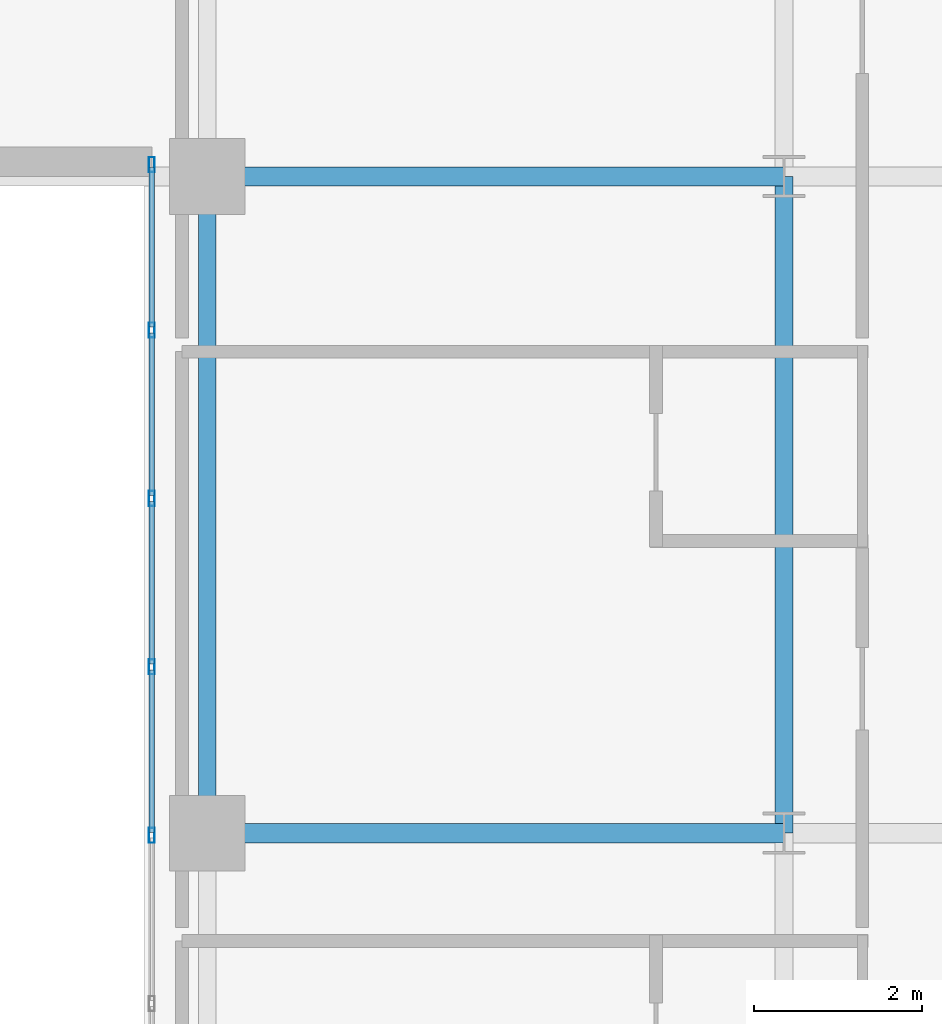
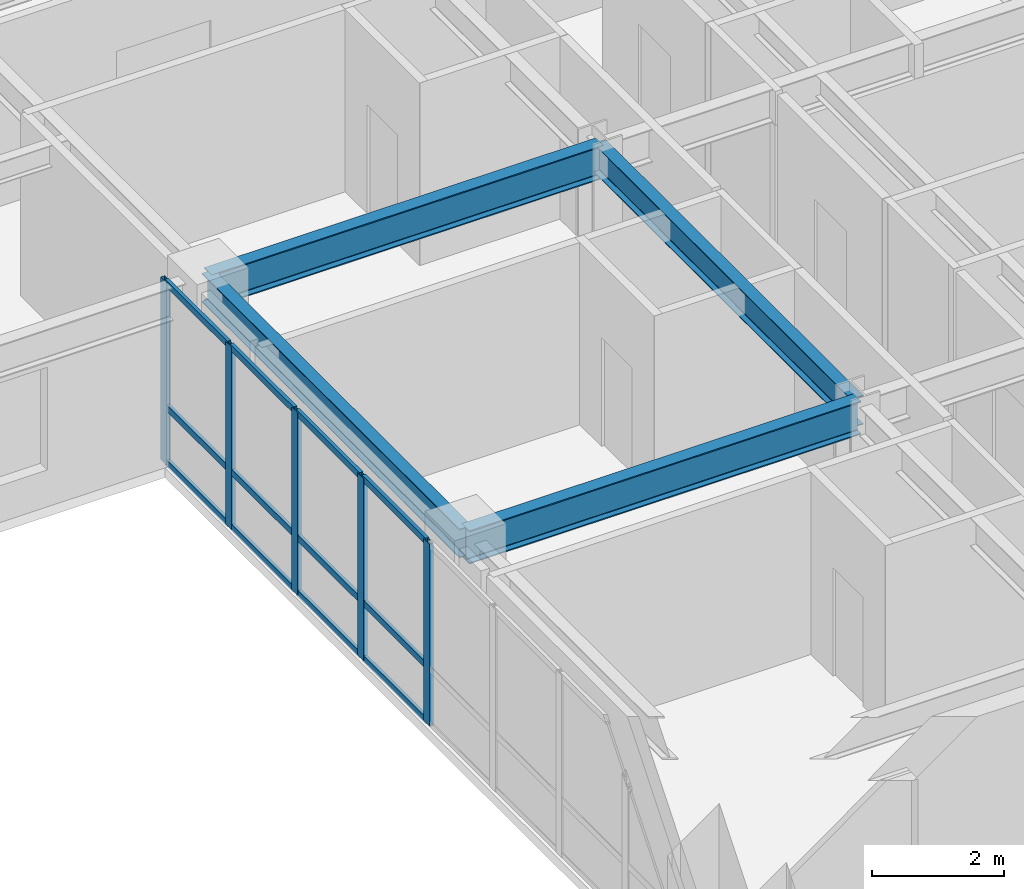
# One storey, part 7 of 17: 17 members, 4 beams, 1 element without a shape of its own.
"""IFC4 building model written with IfcOpenShell, lengths in metres."""

import ifcopenshell
import ifcopenshell.guid

model = None  # the IFC model being written
_history = None  # IfcOwnerHistory: only IFC2X3 demands one
_inside = {}  # id of a spatial element -> (the spatial element, [elements in it])
_under = {}  # id of a project, library or spatial element -> (it, [spatial elements below it])
_declared = {}  # id of a project -> (the project, [libraries it declares])
_typed = {}  # id of a type object -> (the type object, [elements of that type])
_made_of = {}  # id of a material, layer set ... -> (it, [elements and type objects made of it])


def new_model(schema):
    """Start an empty IFC model of exactly this schema.

    Asked for "IFC4X3", IfcOpenShell would pick the latest addendum, in which some entities
    have other attributes; the version numbers below select the first issue.
    IFC2X3 requires an IfcOwnerHistory on every rooted entity: one is made here for all.
    """
    global model, _history
    if schema == "IFC4X3":
        model = ifcopenshell.file(schema_version=(4, 3, 0, 0))
    else:
        model = ifcopenshell.file(schema=schema)
    _inside.clear()
    _under.clear()
    _declared.clear()
    _typed.clear()
    _made_of.clear()
    _history = None
    if model.schema == "IFC2X3":
        org = make("IfcOrganization", Name="unknown")
        user = make(
            "IfcPersonAndOrganization",
            ThePerson=make("IfcPerson", FamilyName="unknown"),
            TheOrganization=org,
        )
        app = make(
            "IfcApplication",
            ApplicationDeveloper=org,
            Version="unknown",
            ApplicationFullName="unknown",
            ApplicationIdentifier="unknown",
        )
        _history = make(
            "IfcOwnerHistory",
            OwningUser=user,
            OwningApplication=app,
            ChangeAction="ADDED",
            CreationDate=0,
        )
    return model


def make(cls, **values):
    """One entity of the class cls with the attributes given. An attribute that is None is left unset."""
    return model.create_entity(
        cls, **{name: value for name, value in values.items() if value is not None}
    )


def rooted(cls, **values):
    """An entity with a GlobalId (a new one), such as an element, a storey or a relation."""
    return make(cls, GlobalId=ifcopenshell.guid.new(), OwnerHistory=_history, **values)


def si_unit(unit_type, name, prefix=None):
    """IfcSIUnit, for example si_unit("LENGTHUNIT", "METRE", prefix="MILLI")."""
    return make("IfcSIUnit", UnitType=unit_type, Prefix=prefix, Name=name)


def assignment(units):
    """IfcUnitAssignment: the units of a project."""
    return None if units is None else make("IfcUnitAssignment", Units=units)


def point(xyz):
    """IfcCartesianPoint."""
    return None if xyz is None else make("IfcCartesianPoint", Coordinates=xyz)


def direction(xyz):
    """IfcDirection."""
    return None if xyz is None else make("IfcDirection", DirectionRatios=xyz)


def frame(location, z_axis=None, x_axis=None):
    """IfcAxis2Placement3D, a coordinate frame: its origin and axes. An axis left out is left unset."""
    return make(
        "IfcAxis2Placement3D",
        Location=point(location),
        Axis=direction(z_axis),
        RefDirection=direction(x_axis),
    )


def frame_2d(location, x_axis=None):
    """IfcAxis2Placement2D, a coordinate frame in the plane: its origin and x axis."""
    return make(
        "IfcAxis2Placement2D", Location=point(location), RefDirection=direction(x_axis)
    )


def origin():
    """The frame at (0, 0, 0) with its axes left unset."""
    return frame((0.0, 0.0, 0.0))


def origin_2d():
    """The frame at (0, 0) in the plane with its x axis left unset."""
    return frame_2d((0.0, 0.0))


def place(relative_to, where):
    """IfcLocalPlacement: puts the frame where relative to a parent placement (None: the world)."""
    return make(
        "IfcLocalPlacement", PlacementRelTo=relative_to, RelativePlacement=where
    )


def context(
    kind, dimensions, precision=None, world=None, true_north=None, identifier=None
):
    """IfcGeometricRepresentationContext, for example the 3D "Model" context."""
    return make(
        "IfcGeometricRepresentationContext",
        ContextIdentifier=identifier,
        ContextType=kind,
        CoordinateSpaceDimension=dimensions,
        Precision=precision,
        WorldCoordinateSystem=world,
        TrueNorth=true_north,
    )


def subcontext(parent, identifier, kind, view, scale=None):
    """IfcGeometricRepresentationSubContext, for example "Body" below "Model"."""
    return make(
        "IfcGeometricRepresentationSubContext",
        ContextIdentifier=identifier,
        ContextType=kind,
        ParentContext=parent,
        TargetScale=scale,
        TargetView=view,
    )


def project(units=None, contexts=None):
    """IfcProject with its units and contexts."""
    return rooted(
        "IfcProject",
        Name="project",
        RepresentationContexts=contexts,
        UnitsInContext=assignment(units),
    )


def spatial(cls, under=None, at=None, **own):
    """A site, building, storey or space (cls), placed at a placement, below another one or the project."""
    s = rooted(cls, ObjectPlacement=at, **own)
    if under is not None:
        _under.setdefault(under.id(), (under, []))[1].append(s)
    return s


def profile(cls, at=None, kind="AREA", **sizes):
    """A parametric profile (cls). Its sizes go by their IFC names, for example OverallWidth=200.0."""
    return make(cls, ProfileType=kind, Position=at, **sizes)


def hollow_rectangle(**sizes):
    """IfcRectangleHollowProfileDef."""
    return profile("IfcRectangleHollowProfileDef", **sizes)


def i_section(**sizes):
    """IfcIShapeProfileDef."""
    return profile("IfcIShapeProfileDef", **sizes)


def extrude(swept, where, along, depth):
    """IfcExtrudedAreaSolid: the profile swept, set in the frame where, extruded along a direction by depth."""
    return make(
        "IfcExtrudedAreaSolid",
        SweptArea=swept,
        Position=where,
        ExtrudedDirection=direction(along),
        Depth=depth,
    )


def shape(context_of_items, identifier, shape_type, items):
    """IfcShapeRepresentation: the items that make up one representation, for example the "Body"."""
    return make(
        "IfcShapeRepresentation",
        ContextOfItems=context_of_items,
        RepresentationIdentifier=identifier,
        RepresentationType=shape_type,
        Items=items,
    )


def source(mapping_origin, context_of_items, identifier, shape_type, items):
    """IfcRepresentationMap: a shape defined once, which mapped items show again and again."""
    return make(
        "IfcRepresentationMap",
        MappingOrigin=mapping_origin,
        MappedRepresentation=shape(context_of_items, identifier, shape_type, items),
    )


def transform(
    local_origin,
    x_axis=None,
    y_axis=None,
    z_axis=None,
    scale=None,
    scale2=None,
    scale3=None,
    uniform=True,
):
    """IfcCartesianTransformationOperator3D, or its non-uniform kind. x_axis, y_axis, z_axis: its Axis1, 2, 3."""
    if uniform:
        return make(
            "IfcCartesianTransformationOperator3D",
            Axis1=direction(x_axis),
            Axis2=direction(y_axis),
            LocalOrigin=point(local_origin),
            Scale=scale,
            Axis3=direction(z_axis),
        )
    return make(
        "IfcCartesianTransformationOperator3DnonUniform",
        Axis1=direction(x_axis),
        Axis2=direction(y_axis),
        LocalOrigin=point(local_origin),
        Scale=scale,
        Axis3=direction(z_axis),
        Scale2=scale2,
        Scale3=scale3,
    )


def mapped(mapping_source, mapping_target):
    """IfcMappedItem: shows the shape of a source again, moved by a transform."""
    return make(
        "IfcMappedItem", MappingSource=mapping_source, MappingTarget=mapping_target
    )


def material(Name=None, Category=None):
    """IfcMaterial."""
    return make("IfcMaterial", Name=Name, Category=Category)


def layer(
    of_material, thickness, ventilated=None, Name=None, Category=None, Priority=None
):
    """IfcMaterialLayer: one layer of a wall or slab, of a material (None: an air gap)."""
    return make(
        "IfcMaterialLayer",
        Material=of_material,
        LayerThickness=thickness,
        IsVentilated=ventilated,
        Name=Name,
        Category=Category,
        Priority=Priority,
    )


def layer_set(layers, Name=None):
    """IfcMaterialLayerSet."""
    return make("IfcMaterialLayerSet", MaterialLayers=layers, LayerSetName=Name)


def material_profile(
    of_material, cross_section, Name=None, Category=None, Priority=None
):
    """IfcMaterialProfile: a cross section and its material."""
    return make(
        "IfcMaterialProfile",
        Name=Name,
        Material=of_material,
        Profile=cross_section,
        Priority=Priority,
        Category=Category,
    )


def profile_set(profiles, Name=None, composite=None):
    """IfcMaterialProfileSet."""
    return make(
        "IfcMaterialProfileSet",
        Name=Name,
        MaterialProfiles=profiles,
        CompositeProfile=composite,
    )


def made_of(thing, what):
    """Note that an element or type object is made of a material, layer set ...; save() writes the relation."""
    if what is not None:
        _made_of.setdefault(what.id(), (what, []))[1].append(thing)
    return thing


def type_object(cls, material=None, **own):
    """A type object (cls), such as IfcWallType, which elements share."""
    return made_of(rooted(cls, **own), material)


def type_shapes(of_type, sources):
    """Give a type object the sources (RepresentationMaps) that its elements show as mapped items."""
    of_type.RepresentationMaps = sources


def element(
    cls,
    number,
    at=None,
    inside=None,
    cuts=None,
    type_object=None,
    material=None,
    context=None,
    identifier="Body",
    shape_type=None,
    held_by="IfcProductDefinitionShape",
    body=None,
    shapes=None,
    **own,
):
    """One element of the class cls, such as IfcWall. Its Tag is "e" and its number.

    at: its placement. inside: the storey or other place that contains it. cuts: it is an
    opening in that element (IfcRelVoidsElement). A single representation is given by context,
    identifier, shape_type and body (its items); several are given by shapes. held_by: the class
    of the entity that holds the representations. save() writes the other relations.
    """
    e = rooted(cls, Tag="e%d" % number, ObjectPlacement=at, **own)
    if body is not None:
        shapes = [shape(context, identifier, shape_type, body)]
    if shapes is not None:
        e.Representation = make(held_by, Representations=shapes)
    if inside is not None:
        _inside.setdefault(inside.id(), (inside, []))[1].append(e)
    if cuts is not None:
        rooted(
            "IfcRelVoidsElement", RelatingBuildingElement=cuts, RelatedOpeningElement=e
        )
    if type_object is not None:
        _typed.setdefault(type_object.id(), (type_object, []))[1].append(e)
    return made_of(e, material)


def aggregate(whole, parts):
    """IfcRelAggregates: a whole, such as a stair, and the parts it consists of."""
    return rooted("IfcRelAggregates", RelatingObject=whole, RelatedObjects=parts)


def save(model, path):
    """Write the relations noted so far, then the file.

    IfcRelAggregates (storeys below a building ...), IfcRelContainedInSpatialStructure (elements
    in a storey), IfcRelDefinesByType, IfcRelAssociatesMaterial and IfcRelDeclares: one each for
    every whole, place, type object, material and project.
    """
    for whole, parts in _under.values():
        aggregate(whole, parts)
    for where, things in _inside.values():
        rooted(
            "IfcRelContainedInSpatialStructure",
            RelatedElements=things,
            RelatingStructure=where,
        )
    for kind, things in _typed.values():
        rooted("IfcRelDefinesByType", RelatedObjects=things, RelatingType=kind)
    for what, things in _made_of.values():
        rooted("IfcRelAssociatesMaterial", RelatedObjects=things, RelatingMaterial=what)
    for by, libraries in _declared.values():
        rooted("IfcRelDeclares", RelatingContext=by, RelatedDefinitions=libraries)
    model.write(path)


model = new_model("IFC4")

# Units and contexts
model_context = context("Model", 3, precision=1e-05, world=origin(), true_north=direction((0.0, 1.0)))
body_context = subcontext(model_context, "Body", "Model", "MODEL_VIEW")
ifc_project = project(units=[si_unit("LENGTHUNIT", "METRE"), si_unit("AREAUNIT", "SQUARE_METRE"), si_unit("VOLUMEUNIT", "CUBIC_METRE"), si_unit("PLANEANGLEUNIT", "RADIAN"), si_unit("MASSUNIT", "GRAM", prefix="KILO")], contexts=[model_context])

# Site, building, storey
site_placement = place(None, origin())
site = spatial("IfcSite", under=ifc_project, at=site_placement, CompositionType="ELEMENT")
building_placement = place(site_placement, origin())
building = spatial("IfcBuilding", under=site, at=building_placement, Name="Tolvann Quenvar Hotel", CompositionType="ELEMENT")
storey_placement = place(building_placement, frame((0.0, 0.0, 108.0)))
storey = spatial("IfcBuildingStorey", under=building, at=storey_placement, Name="L27", CompositionType="ELEMENT", Elevation=108.0)

# Beams
ifc_material_1 = material(Name="Steel Grade 350", Category="steel")
ifc_material_profile_1 = material_profile(ifc_material_1, i_section(OverallWidth=0.22900390625, OverallDepth=0.612060546875, WebThickness=0.011962890625, FlangeThickness=0.01953125, FilletRadius=0.013916015625, at=origin_2d()), Name="610UB125")
ifc_profile_set_1 = profile_set([ifc_material_profile_1], Name="Steel Grade 350")
beam_type_1 = type_object("IfcBeamType", Name="BM_GIRD_610UB125", PredefinedType="BEAM", material=ifc_profile_set_1)
shared_shape_1 = source(origin(), body_context, "Body", "SweptSolid", [
    extrude(i_section(OverallWidth=0.22900390625, OverallDepth=0.612060546875, WebThickness=0.011962890625, FlangeThickness=0.01953125, FilletRadius=0.013916015625, at=origin_2d()), origin(), (0.0, 0.0, 1.0), 6.85009765625),
])
type_shapes(beam_type_1, [shared_shape_1])
for number, where, z_axis, x_axis, name in (
    (1, (34.949951171875, 8.199951171875, 3.06396484375), (1.0, 0.0, 0.0), (0.0, 1.0, 0.0), "BM-L27-EW-3-F3-H3"),
    (2, (34.949951171875, 16.0, 3.06396484375), (1.0, 0.0, 0.0), (0.0, 1.0, 0.0), "BM-L27-EW-4-F4-H4"),
):
    element("IfcBeam", number, at=place(storey_placement, frame(where, z_axis=z_axis, x_axis=x_axis)), inside=storey, type_object=beam_type_1, Name=name, PredefinedType="BEAM", context=body_context, shape_type="MappedRepresentation", body=[
        mapped(shared_shape_1, transform((0.0, 0.0, 0.0), x_axis=(1.0, 0.0, 0.0), y_axis=(0.0, 1.0, 0.0), z_axis=(0.0, 0.0, 1.0), scale=1.0)),
    ])
ifc_material_profile_2 = material_profile(ifc_material_1, i_section(OverallWidth=0.208984375, OverallDepth=0.532958984375, WebThickness=0.01025390625, FlangeThickness=0.015625, FilletRadius=0.013916015625, at=origin_2d()), Name="530UB92")
ifc_profile_set_2 = profile_set([ifc_material_profile_2], Name="Steel Grade 350")
beam_type_2 = type_object("IfcBeamType", Name="BM_GIRD_530UB92", PredefinedType="BEAM", material=ifc_profile_set_2)
shared_shape_2 = source(origin(), body_context, "Body", "SweptSolid", [
    extrude(i_section(OverallWidth=0.208984375, OverallDepth=0.532958984375, WebThickness=0.01025390625, FlangeThickness=0.015625, FilletRadius=0.013916015625, at=origin_2d()), origin(), (0.0, 0.0, 1.0), 7.800048828125),
])
type_shapes(beam_type_2, [shared_shape_2])
for number, where, z_axis, x_axis, name in (
    (3, (34.949951171875, 8.199951171875, 3.103515625), (0.0, 1.0, 0.0), (-1.0, 0.0, 0.0), "BM-L27-NS-F3-F4"),
    (4, (41.800048828125, 8.199951171875, 3.103515625), (0.0, 1.0, 0.0), (-1.0, 0.0, 0.0), "BM-L27-NS-H3-H4"),
):
    element("IfcBeam", number, at=place(storey_placement, frame(where, z_axis=z_axis, x_axis=x_axis)), inside=storey, type_object=beam_type_2, Name=name, PredefinedType="BEAM", context=body_context, shape_type="MappedRepresentation", body=[
        mapped(shared_shape_2, transform((0.0, 0.0, 0.0), x_axis=(1.0, 0.0, 0.0), y_axis=(0.0, 1.0, 0.0), z_axis=(0.0, 0.0, 1.0), scale=1.0)),
    ])

# Curtain wall, members
ifc_material_2 = material(Name="Thermally broken anodised architectural aluminium 6063-T6 and laminated low-E glass", Category="aluminium")
ifc_layer = layer(ifc_material_2, 0.179931640625)
ifc_layer_set = layer_set([ifc_layer], Name="Thermally broken anodised architectural aluminium 6063-T6 and laminated low-E glass")
curtain_wall_type = type_object("IfcCurtainWallType", Name="CW_SYS_SLOT_03", PredefinedType="USERDEFINED", material=ifc_layer_set)
curtain_wall_placement = place(storey_placement, origin())
curtain_wall = element("IfcCurtainWall", 5, at=curtain_wall_placement, inside=storey, type_object=curtain_wall_type, Name="Curtain Wall CW-SLOT-03 (CWR-L27-E07)", ObjectType="UNITISED CURTAIN WALL", PredefinedType="USERDEFINED")
ifc_material_3 = material(Name="Anodised architectural aluminium 6063-T6 framing", Category="aluminium")
ifc_material_profile_3 = material_profile(ifc_material_3, hollow_rectangle(XDim=0.070068359375, YDim=0.179931640625, WallThickness=0.00390625, at=origin_2d()), Name="180x70x4RHS")
ifc_profile_set_3 = profile_set([ifc_material_profile_3], Name="Anodised architectural aluminium 6063-T6 framing")
member_type_1 = type_object("IfcMemberType", Name="CW_MULL_180x70", PredefinedType="MULLION", material=ifc_profile_set_3)
shared_shape_3 = source(origin(), body_context, "Body", "SweptSolid", [
    extrude(hollow_rectangle(XDim=0.070068359375, YDim=0.179931640625, WallThickness=0.00390625, at=origin_2d()), origin(), (0.0, 0.0, 1.0), 3.3701171875),
])
type_shapes(member_type_1, [shared_shape_3])
member_1_placement = place(storey_placement, frame((34.2900390625, 16.139892578125, 0.0), z_axis=(0.0, 0.0, 1.0), x_axis=(1.0, 0.0, 0.0)))
member_1 = element("IfcMember", 6, at=member_1_placement, type_object=member_type_1, Name="CW-SLOT-03 mullion 1", PredefinedType="MULLION", context=body_context, shape_type="MappedRepresentation", body=[
    mapped(shared_shape_3, transform((0.0, 0.0, 0.0), x_axis=(1.0, 0.0, 0.0), y_axis=(0.0, 1.0, 0.0), z_axis=(0.0, 0.0, 1.0), scale=1.0)),
])
member_2_placement = place(storey_placement, frame((34.2900390625, 14.175048828125, 0.0), z_axis=(0.0, 0.0, 1.0), x_axis=(1.0, 0.0, 0.0)))
member_2 = element("IfcMember", 7, at=member_2_placement, type_object=member_type_1, Name="CW-SLOT-03 mullion 2", PredefinedType="MULLION", context=body_context, shape_type="MappedRepresentation", body=[
    mapped(shared_shape_3, transform((0.0, 0.0, 0.0), x_axis=(1.0, 0.0, 0.0), y_axis=(0.0, 1.0, 0.0), z_axis=(0.0, 0.0, 1.0), scale=1.0)),
])
member_3_placement = place(storey_placement, frame((34.2900390625, 12.175048828125, 0.0), z_axis=(0.0, 0.0, 1.0), x_axis=(1.0, 0.0, 0.0)))
member_3 = element("IfcMember", 8, at=member_3_placement, type_object=member_type_1, Name="CW-SLOT-03 mullion 3", PredefinedType="MULLION", context=body_context, shape_type="MappedRepresentation", body=[
    mapped(shared_shape_3, transform((0.0, 0.0, 0.0), x_axis=(1.0, 0.0, 0.0), y_axis=(0.0, 1.0, 0.0), z_axis=(0.0, 0.0, 1.0), scale=1.0)),
])
member_4_placement = place(storey_placement, frame((34.2900390625, 10.175048828125, 0.0), z_axis=(0.0, 0.0, 1.0), x_axis=(1.0, 0.0, 0.0)))
member_4 = element("IfcMember", 9, at=member_4_placement, type_object=member_type_1, Name="CW-SLOT-03 mullion 4", PredefinedType="MULLION", context=body_context, shape_type="MappedRepresentation", body=[
    mapped(shared_shape_3, transform((0.0, 0.0, 0.0), x_axis=(1.0, 0.0, 0.0), y_axis=(0.0, 1.0, 0.0), z_axis=(0.0, 0.0, 1.0), scale=1.0)),
])
member_5_placement = place(storey_placement, frame((34.2900390625, 8.175048828125, 0.0), z_axis=(0.0, 0.0, 1.0), x_axis=(1.0, 0.0, 0.0)))
member_5 = element("IfcMember", 10, at=member_5_placement, type_object=member_type_1, Name="CW-SLOT-03 mullion 5", PredefinedType="MULLION", context=body_context, shape_type="MappedRepresentation", body=[
    mapped(shared_shape_3, transform((0.0, 0.0, 0.0), x_axis=(1.0, 0.0, 0.0), y_axis=(0.0, 1.0, 0.0), z_axis=(0.0, 0.0, 1.0), scale=1.0)),
])
ifc_material_profile_4 = material_profile(ifc_material_3, hollow_rectangle(XDim=0.06005859375, YDim=0.1201171875, WallThickness=0.00341796875, at=origin_2d()), Name="120x60x3.5RHS")
ifc_profile_set_4 = profile_set([ifc_material_profile_4], Name="Anodised architectural aluminium 6063-T6 framing")
member_type_2 = type_object("IfcMemberType", Name="CW_TRAN_120x60", PredefinedType="USERDEFINED", material=ifc_profile_set_4)
shared_shape_4 = source(origin(), body_context, "Body", "SweptSolid", [
    extrude(hollow_rectangle(XDim=0.06005859375, YDim=0.1201171875, WallThickness=0.00341796875, at=origin_2d()), origin(), (0.0, 0.0, 1.0), 1.929931640625),
])
member_6_placement = place(storey_placement, frame((34.2900390625, 14.139892578125, 0.030029296875), z_axis=(0.0, -1.0, 0.0), x_axis=(1.0, 0.0, 0.0)))
member_6 = element("IfcMember", 11, at=member_6_placement, type_object=member_type_2, Name="CW-SLOT-03 transom 2.1", ObjectType="TRANSOM", PredefinedType="USERDEFINED", context=body_context, shape_type="MappedRepresentation", body=[
    mapped(shared_shape_4, transform((0.0, 0.0, 0.0), x_axis=(1.0, 0.0, 0.0), y_axis=(0.0, 1.0, 0.0), z_axis=(0.0, 0.0, 1.0), scale=1.0)),
])
member_7_placement = place(storey_placement, frame((34.2900390625, 14.139892578125, 1.050048828125), z_axis=(0.0, -1.0, 0.0), x_axis=(1.0, 0.0, 0.0)))
member_7 = element("IfcMember", 12, at=member_7_placement, type_object=member_type_2, Name="CW-SLOT-03 transom 2.2", ObjectType="TRANSOM", PredefinedType="USERDEFINED", context=body_context, shape_type="MappedRepresentation", body=[
    mapped(shared_shape_4, transform((0.0, 0.0, 0.0), x_axis=(1.0, 0.0, 0.0), y_axis=(0.0, 1.0, 0.0), z_axis=(0.0, 0.0, 1.0), scale=1.0)),
])
member_8_placement = place(storey_placement, frame((34.2900390625, 14.139892578125, 3.340087890625), z_axis=(0.0, -1.0, 0.0), x_axis=(1.0, 0.0, 0.0)))
member_8 = element("IfcMember", 13, at=member_8_placement, type_object=member_type_2, Name="CW-SLOT-03 transom 2.3", ObjectType="TRANSOM", PredefinedType="USERDEFINED", context=body_context, shape_type="MappedRepresentation", body=[
    mapped(shared_shape_4, transform((0.0, 0.0, 0.0), x_axis=(1.0, 0.0, 0.0), y_axis=(0.0, 1.0, 0.0), z_axis=(0.0, 0.0, 1.0), scale=1.0)),
])
member_9_placement = place(storey_placement, frame((34.2900390625, 12.139892578125, 0.030029296875), z_axis=(0.0, -1.0, 0.0), x_axis=(1.0, 0.0, 0.0)))
member_9 = element("IfcMember", 14, at=member_9_placement, type_object=member_type_2, Name="CW-SLOT-03 transom 3.1", ObjectType="TRANSOM", PredefinedType="USERDEFINED", context=body_context, shape_type="MappedRepresentation", body=[
    mapped(shared_shape_4, transform((0.0, 0.0, 0.0), x_axis=(1.0, 0.0, 0.0), y_axis=(0.0, 1.0, 0.0), z_axis=(0.0, 0.0, 1.0), scale=1.0)),
])
member_10_placement = place(storey_placement, frame((34.2900390625, 12.139892578125, 1.050048828125), z_axis=(0.0, -1.0, 0.0), x_axis=(1.0, 0.0, 0.0)))
member_10 = element("IfcMember", 15, at=member_10_placement, type_object=member_type_2, Name="CW-SLOT-03 transom 3.2", ObjectType="TRANSOM", PredefinedType="USERDEFINED", context=body_context, shape_type="MappedRepresentation", body=[
    mapped(shared_shape_4, transform((0.0, 0.0, 0.0), x_axis=(1.0, 0.0, 0.0), y_axis=(0.0, 1.0, 0.0), z_axis=(0.0, 0.0, 1.0), scale=1.0)),
])
member_11_placement = place(storey_placement, frame((34.2900390625, 12.139892578125, 3.340087890625), z_axis=(0.0, -1.0, 0.0), x_axis=(1.0, 0.0, 0.0)))
member_11 = element("IfcMember", 16, at=member_11_placement, type_object=member_type_2, Name="CW-SLOT-03 transom 3.3", ObjectType="TRANSOM", PredefinedType="USERDEFINED", context=body_context, shape_type="MappedRepresentation", body=[
    mapped(shared_shape_4, transform((0.0, 0.0, 0.0), x_axis=(1.0, 0.0, 0.0), y_axis=(0.0, 1.0, 0.0), z_axis=(0.0, 0.0, 1.0), scale=1.0)),
])
member_12_placement = place(storey_placement, frame((34.2900390625, 10.139892578125, 0.030029296875), z_axis=(0.0, -1.0, 0.0), x_axis=(1.0, 0.0, 0.0)))
member_12 = element("IfcMember", 17, at=member_12_placement, type_object=member_type_2, Name="CW-SLOT-03 transom 4.1", ObjectType="TRANSOM", PredefinedType="USERDEFINED", context=body_context, shape_type="MappedRepresentation", body=[
    mapped(shared_shape_4, transform((0.0, 0.0, 0.0), x_axis=(1.0, 0.0, 0.0), y_axis=(0.0, 1.0, 0.0), z_axis=(0.0, 0.0, 1.0), scale=1.0)),
])
member_13_placement = place(storey_placement, frame((34.2900390625, 10.139892578125, 1.050048828125), z_axis=(0.0, -1.0, 0.0), x_axis=(1.0, 0.0, 0.0)))
member_13 = element("IfcMember", 18, at=member_13_placement, type_object=member_type_2, Name="CW-SLOT-03 transom 4.2", ObjectType="TRANSOM", PredefinedType="USERDEFINED", context=body_context, shape_type="MappedRepresentation", body=[
    mapped(shared_shape_4, transform((0.0, 0.0, 0.0), x_axis=(1.0, 0.0, 0.0), y_axis=(0.0, 1.0, 0.0), z_axis=(0.0, 0.0, 1.0), scale=1.0)),
])
member_14_placement = place(storey_placement, frame((34.2900390625, 10.139892578125, 3.340087890625), z_axis=(0.0, -1.0, 0.0), x_axis=(1.0, 0.0, 0.0)))
member_14 = element("IfcMember", 19, at=member_14_placement, type_object=member_type_2, Name="CW-SLOT-03 transom 4.3", ObjectType="TRANSOM", PredefinedType="USERDEFINED", context=body_context, shape_type="MappedRepresentation", body=[
    mapped(shared_shape_4, transform((0.0, 0.0, 0.0), x_axis=(1.0, 0.0, 0.0), y_axis=(0.0, 1.0, 0.0), z_axis=(0.0, 0.0, 1.0), scale=1.0)),
])
shared_shape_5 = source(origin(), body_context, "Body", "SweptSolid", [
    extrude(hollow_rectangle(XDim=0.06005859375, YDim=0.1201171875, WallThickness=0.00341796875, at=origin_2d()), origin(), (0.0, 0.0, 1.0), 1.89501953125),
])
type_shapes(member_type_2, [shared_shape_4, shared_shape_5])
member_15_placement = place(storey_placement, frame((34.2900390625, 16.10498046875, 0.030029296875), z_axis=(0.0, -1.0, 0.0), x_axis=(1.0, 0.0, 0.0)))
member_15 = element("IfcMember", 20, at=member_15_placement, type_object=member_type_2, Name="CW-SLOT-03 transom 1.1", ObjectType="TRANSOM", PredefinedType="USERDEFINED", context=body_context, shape_type="MappedRepresentation", body=[
    mapped(shared_shape_5, transform((0.0, 0.0, 0.0), x_axis=(1.0, 0.0, 0.0), y_axis=(0.0, 1.0, 0.0), z_axis=(0.0, 0.0, 1.0), scale=1.0)),
])
member_16_placement = place(storey_placement, frame((34.2900390625, 16.10498046875, 1.050048828125), z_axis=(0.0, -1.0, 0.0), x_axis=(1.0, 0.0, 0.0)))
member_16 = element("IfcMember", 21, at=member_16_placement, type_object=member_type_2, Name="CW-SLOT-03 transom 1.2", ObjectType="TRANSOM", PredefinedType="USERDEFINED", context=body_context, shape_type="MappedRepresentation", body=[
    mapped(shared_shape_5, transform((0.0, 0.0, 0.0), x_axis=(1.0, 0.0, 0.0), y_axis=(0.0, 1.0, 0.0), z_axis=(0.0, 0.0, 1.0), scale=1.0)),
])
member_17_placement = place(storey_placement, frame((34.2900390625, 16.10498046875, 3.340087890625), z_axis=(0.0, -1.0, 0.0), x_axis=(1.0, 0.0, 0.0)))
member_17 = element("IfcMember", 22, at=member_17_placement, type_object=member_type_2, Name="CW-SLOT-03 transom 1.3", ObjectType="TRANSOM", PredefinedType="USERDEFINED", context=body_context, shape_type="MappedRepresentation", body=[
    mapped(shared_shape_5, transform((0.0, 0.0, 0.0), x_axis=(1.0, 0.0, 0.0), y_axis=(0.0, 1.0, 0.0), z_axis=(0.0, 0.0, 1.0), scale=1.0)),
])
aggregate(curtain_wall, [member_1, member_2, member_3, member_4, member_5, member_15, member_16, member_17, member_6, member_7, member_8, member_9, member_10, member_11, member_12, member_13, member_14])

save(model, "model.ifc")
